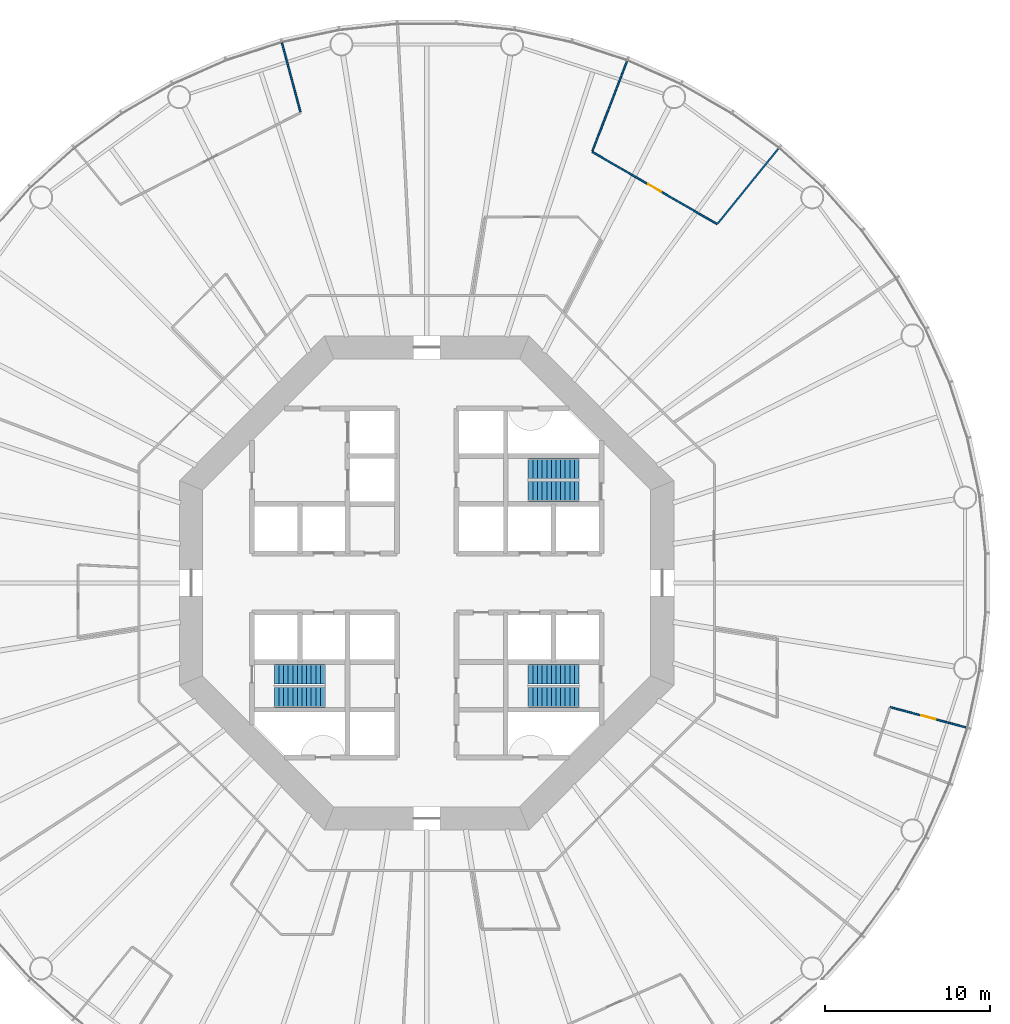
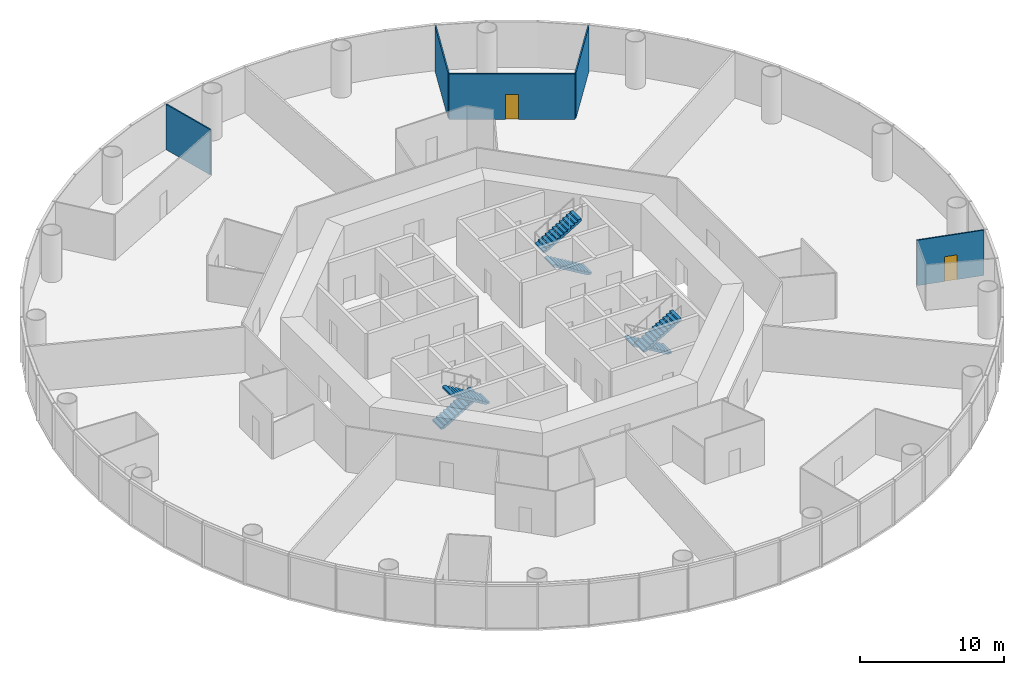
# One storey, part 6 of 13: 6 stair flights, 5 walls, 2 doors, 2 openings, 3 elements without a shape of their own.
"""IFC4 building model written with IfcOpenShell, lengths in metres."""

from ifc_helpers import new_model, si_unit, direction, frame, frame_2d, origin, place, context, subcontext, project, spatial, polyline, rectangle, outline, extrude, material, layer, layer_set, type_object, element, fill, aggregate, save


model = new_model("IFC4")

# Units and contexts
model_context = context("Model", 3, precision=1e-05, world=origin(), true_north=direction((0.0, 1.0)))
body_context = subcontext(model_context, "Body", "Model", "MODEL_VIEW")
ifc_project = project(units=[si_unit("LENGTHUNIT", "METRE"), si_unit("AREAUNIT", "SQUARE_METRE"), si_unit("VOLUMEUNIT", "CUBIC_METRE"), si_unit("PLANEANGLEUNIT", "RADIAN"), si_unit("MASSUNIT", "GRAM", prefix="KILO")], contexts=[model_context])

# Site, building, storey
site_placement = place(None, origin())
site = spatial("IfcSite", under=ifc_project, at=site_placement, CompositionType="ELEMENT")
building_placement = place(site_placement, origin())
building = spatial("IfcBuilding", under=site, at=building_placement, Name="Entoto Ring Tower", CompositionType="ELEMENT")
storey_placement = place(building_placement, frame((0.0, 0.0, 30.0)))
storey = spatial("IfcBuildingStorey", under=building, at=storey_placement, Name="L05", CompositionType="ELEMENT", Elevation=30.0)

# Wall, opening, door
ifc_material_1 = material(Name="Plasterboard on steel studs", Category="steel")
ifc_layer = layer(ifc_material_1, 0.10009765625)
ifc_layer_set = layer_set([ifc_layer], Name="Plasterboard on steel studs")
wall_type = type_object("IfcWallType", Name="Partition 100 mm plasterboard on steel studs", PredefinedType="PARTITIONING", material=ifc_layer_set)
wall_1_placement = place(storey_placement, frame((107.639892578125, 101.783447265625, 0.0), z_axis=(0.0, 0.0, 1.0), x_axis=(-0.86602796149, 0.499995569897, 0.0)))
wall_1 = element("IfcWall", 1, at=wall_1_placement, inside=storey, type_object=wall_type, Name="partition-L05-017", PredefinedType="PARTITIONING", context=body_context, shape_type="SweptSolid", body=[
    extrude(rectangle(XDim=8.76953125, YDim=0.10009765625, at=frame_2d((4.384765625, 0.0))), origin(), (0.0, 0.0, 1.0), 3.85009765625),
])
opening_1_placement = place(wall_1_placement, frame((3.934814453125, 0.0, 0.0)))
opening_1 = element("IfcOpeningElement", 2, at=opening_1_placement, cuts=wall_1, Name="Opening A03-D12", PredefinedType="OPENING", context=body_context, shape_type="SweptSolid", body=[
    extrude(rectangle(XDim=0.89990234375, YDim=2.10009765625, at=frame_2d((0.449951171875, 1.050048828125))), frame((0.0, 0.06005859375, 0.0), z_axis=(0.0, -1.0, 0.0), x_axis=(1.0, 0.0, 0.0)), (0.0, 0.0, 1.0), 0.1201171875),
])
ifc_material_2 = material(Name="Veneered timber door leaf in timber frame", Category="wood")
door_type = type_object("IfcDoorType", Name="Door 900 x 2100 single leaf timber veneer", OperationType="NOTDEFINED", PredefinedType="DOOR", material=ifc_material_2)
door_1_placement = place(opening_1_placement, frame((0.89990234375, 0.0, 0.0), z_axis=(0.0, 0.0, 1.0), x_axis=(-1.0, 0.0, 0.0)))
door_1 = element("IfcDoor", 3, at=door_1_placement, inside=storey, type_object=door_type, Name="Door A03-D12", OperationType="SINGLE_SWING_RIGHT", OverallHeight=2.10009765625, OverallWidth=0.89990234375, PredefinedType="DOOR", context=body_context, shape_type="SweptSolid", body=[
    extrude(rectangle(XDim=0.89990234375, YDim=2.10009765625, at=frame_2d((0.449951171875, 1.050048828125))), frame((0.0, 0.02490234375, 0.0), z_axis=(0.0, -1.0, 0.0), x_axis=(1.0, 0.0, 0.0)), (0.0, 0.0, 1.0), 0.050048828125),
])
fill(opening_1, door_1)

# Walls
wall_2_placement = place(storey_placement, frame((100.062744140625, 106.21435546875, 0.0), z_axis=(0.0, 0.0, 1.0), x_axis=(0.358376050057, 0.933577316962, 0.0)))
element("IfcWall", 4, at=wall_2_placement, inside=storey, type_object=wall_type, Name="partition-L05-018", PredefinedType="PARTITIONING", context=body_context, shape_type="SweptSolid", body=[
    extrude(rectangle(XDim=5.86083984375, YDim=0.10009765625, at=frame_2d((2.930419921875, 0.0))), origin(), (0.0, 0.0, 1.0), 3.85009765625),
])
wall_3_placement = place(storey_placement, frame((107.6708984375, 101.82177734375, 0.0), z_axis=(0.0, 0.0, 1.0), x_axis=(0.629332439012, 0.777136205055, 0.0)))
element("IfcWall", 5, at=wall_3_placement, inside=storey, type_object=wall_type, Name="partition-L05-019", PredefinedType="PARTITIONING", context=body_context, shape_type="SweptSolid", body=[
    extrude(rectangle(XDim=5.860595703125, YDim=0.10009765625, at=frame_2d((2.93017578125, 0.0))), origin(), (0.0, 0.0, 1.0), 3.85009765625),
])

# Wall, opening, door
wall_4_placement = place(storey_placement, frame((122.783447265625, 71.2158203125, 0.0), z_axis=(0.0, 0.0, 1.0), x_axis=(-0.965935843283, 0.258781658277, 0.0)))
wall_4 = element("IfcWall", 6, at=wall_4_placement, inside=storey, type_object=wall_type, Name="partition-L05-026", PredefinedType="PARTITIONING", context=body_context, shape_type="SweptSolid", body=[
    extrude(rectangle(XDim=4.820068359375, YDim=0.10009765625, at=frame_2d((2.41015625, 0.0))), origin(), (0.0, 0.0, 1.0), 3.85009765625),
])
opening_2_placement = place(wall_4_placement, frame((1.9599609375, 0.0, 0.0)))
opening_2 = element("IfcOpeningElement", 7, at=opening_2_placement, cuts=wall_4, Name="Opening A03-D09", PredefinedType="OPENING", context=body_context, shape_type="SweptSolid", body=[
    extrude(rectangle(XDim=0.89990234375, YDim=2.10009765625, at=frame_2d((0.449951171875, 1.050048828125))), frame((0.0, 0.06005859375, 0.0), z_axis=(0.0, -1.0, 0.0), x_axis=(1.0, 0.0, 0.0)), (0.0, 0.0, 1.0), 0.1201171875),
])
door_2_placement = place(opening_2_placement, origin())
door_2 = element("IfcDoor", 8, at=door_2_placement, inside=storey, type_object=door_type, Name="Door A03-D09", OperationType="SINGLE_SWING_LEFT", OverallHeight=2.10009765625, OverallWidth=0.89990234375, PredefinedType="DOOR", context=body_context, shape_type="SweptSolid", body=[
    extrude(rectangle(XDim=0.89990234375, YDim=2.10009765625, at=frame_2d((0.449951171875, 1.050048828125))), frame((0.0, 0.02490234375, 0.0), z_axis=(0.0, -1.0, 0.0), x_axis=(1.0, 0.0, 0.0)), (0.0, 0.0, 1.0), 0.050048828125),
])
fill(opening_2, door_2)

# Wall
wall_5_placement = place(storey_placement, frame((82.336669921875, 108.599853515625, 0.0), z_axis=(0.0, 0.0, 1.0), x_axis=(-0.258788679969, 0.96593396209, 0.0)))
element("IfcWall", 9, at=wall_5_placement, inside=storey, type_object=wall_type, Name="partition-L05-037", PredefinedType="PARTITIONING", context=body_context, shape_type="SweptSolid", body=[
    extrude(rectangle(XDim=4.3310546875, YDim=0.10009765625, at=frame_2d((2.16552734375, 0.0))), origin(), (0.0, 0.0, 1.0), 3.85009765625),
])

# Stair, stair flights
ifc_material_3 = material(Name="Concrete C40/50", Category="concrete")
stair_type = type_object("IfcStairType", Name="Exit stair 1200 mm dog-leg reinforced concrete", PredefinedType="HALF_TURN_STAIR", material=ifc_material_3)
stair_1_placement = place(storey_placement, origin())
stair_1 = element("IfcStair", 10, at=stair_1_placement, inside=storey, type_object=stair_type, Name="Exit stair 1", PredefinedType="HALF_TURN_STAIR")
ifc_material_4 = material(Name="Concrete C40/50", Category="concrete")
stair_flight_type = type_object("IfcStairFlightType", Name="Stair flight 1200 mm reinforced concrete", PredefinedType="STRAIGHT", material=ifc_material_4)
stair_flight_1_placement = place(storey_placement, frame((99.25, 85.550048828125, 0.0), z_axis=(0.0, 0.0, 1.0), x_axis=(-1.0, 0.0, 0.0)))
stair_flight_1 = element("IfcStairFlight", 11, at=stair_flight_1_placement, type_object=stair_flight_type, Name="ST1 flight 1", NumberOfRisers=12, NumberOfTreads=11, PredefinedType="STRAIGHT", RiserHeight=0.166666667, TreadLength=0.28, context=body_context, shape_type="SweptSolid", body=[
    extrude(outline(polyline([(0.0, 0.0), (0.0, 0.166748046875), (0.280029296875, 0.166748046875), (0.280029296875, 0.333251953125), (0.56005859375, 0.333251953125), (0.56005859375, 0.5), (0.840087890625, 0.5), (0.840087890625, 0.666748046875), (1.1201171875, 0.666748046875), (1.1201171875, 0.833251953125), (1.39990234375, 0.833251953125), (1.39990234375, 1.0), (1.679931640625, 1.0), (1.679931640625, 1.166748046875), (1.9599609375, 1.166748046875), (1.9599609375, 1.333251953125), (2.239990234375, 1.333251953125), (2.239990234375, 1.5), (2.52001953125, 1.5), (2.52001953125, 1.666748046875), (2.800048828125, 1.666748046875), (2.800048828125, 1.833251953125), (3.080078125, 1.833251953125), (3.080078125, 2.0), (3.080078125, 1.658935546875), (0.29296875, 0.0), (0.0, 0.0)])), frame((0.0, 0.60009765625, 0.0), z_axis=(0.0, -1.0, 0.0), x_axis=(1.0, 0.0, 0.0)), (0.0, 0.0, 1.0), 1.199951171875),
])
stair_flight_2_placement = place(storey_placement, frame((96.169921875, 86.949951171875, 2.0), z_axis=(0.0, 0.0, 1.0), x_axis=(1.0, 0.0, 0.0)))
stair_flight_2 = element("IfcStairFlight", 12, at=stair_flight_2_placement, type_object=stair_flight_type, Name="ST1 flight 2", NumberOfRisers=12, NumberOfTreads=11, PredefinedType="STRAIGHT", RiserHeight=0.166666667, TreadLength=0.28, context=body_context, shape_type="SweptSolid", body=[
    extrude(outline(polyline([(0.0, 0.0), (0.0, 0.166748046875), (0.280029296875, 0.166748046875), (0.280029296875, 0.333251953125), (0.56005859375, 0.333251953125), (0.56005859375, 0.5), (0.840087890625, 0.5), (0.840087890625, 0.666748046875), (1.1201171875, 0.666748046875), (1.1201171875, 0.833251953125), (1.39990234375, 0.833251953125), (1.39990234375, 1.0), (1.679931640625, 1.0), (1.679931640625, 1.166748046875), (1.9599609375, 1.166748046875), (1.9599609375, 1.333251953125), (2.239990234375, 1.333251953125), (2.239990234375, 1.5), (2.52001953125, 1.5), (2.52001953125, 1.666748046875), (2.800048828125, 1.666748046875), (2.800048828125, 1.833251953125), (3.080078125, 1.833251953125), (3.080078125, 2.0), (3.080078125, 1.658935546875), (0.29296875, 0.0), (0.0, 0.0)])), frame((0.0, 0.60009765625, 0.0), z_axis=(0.0, -1.0, 0.0), x_axis=(1.0, 0.0, 0.0)), (0.0, 0.0, 1.0), 1.199951171875),
])
aggregate(stair_1, [stair_flight_1, stair_flight_2])

stair_2_placement = place(storey_placement, origin())
stair_2 = element("IfcStair", 13, at=stair_2_placement, inside=storey, type_object=stair_type, Name="Exit stair 2", PredefinedType="HALF_TURN_STAIR")
stair_flight_3_placement = place(storey_placement, frame((80.75, 74.449951171875, 0.0), z_axis=(0.0, 0.0, 1.0), x_axis=(1.0, 0.0, 0.0)))
stair_flight_3 = element("IfcStairFlight", 14, at=stair_flight_3_placement, type_object=stair_flight_type, Name="ST2 flight 1", NumberOfRisers=12, NumberOfTreads=11, PredefinedType="STRAIGHT", RiserHeight=0.166666667, TreadLength=0.28, context=body_context, shape_type="SweptSolid", body=[
    extrude(outline(polyline([(0.0, 0.0), (0.0, 0.166748046875), (0.280029296875, 0.166748046875), (0.280029296875, 0.333251953125), (0.56005859375, 0.333251953125), (0.56005859375, 0.5), (0.840087890625, 0.5), (0.840087890625, 0.666748046875), (1.1201171875, 0.666748046875), (1.1201171875, 0.833251953125), (1.39990234375, 0.833251953125), (1.39990234375, 1.0), (1.679931640625, 1.0), (1.679931640625, 1.166748046875), (1.9599609375, 1.166748046875), (1.9599609375, 1.333251953125), (2.239990234375, 1.333251953125), (2.239990234375, 1.5), (2.52001953125, 1.5), (2.52001953125, 1.666748046875), (2.800048828125, 1.666748046875), (2.800048828125, 1.833251953125), (3.080078125, 1.833251953125), (3.080078125, 2.0), (3.080078125, 1.658935546875), (0.29296875, 0.0), (0.0, 0.0)])), frame((0.0, 0.60009765625, 0.0), z_axis=(0.0, -1.0, 0.0), x_axis=(1.0, 0.0, 0.0)), (0.0, 0.0, 1.0), 1.199951171875),
])
stair_flight_4_placement = place(storey_placement, frame((83.830078125, 73.050048828125, 2.0), z_axis=(0.0, 0.0, 1.0), x_axis=(-1.0, 0.0, 0.0)))
stair_flight_4 = element("IfcStairFlight", 15, at=stair_flight_4_placement, type_object=stair_flight_type, Name="ST2 flight 2", NumberOfRisers=12, NumberOfTreads=11, PredefinedType="STRAIGHT", RiserHeight=0.166666667, TreadLength=0.28, context=body_context, shape_type="SweptSolid", body=[
    extrude(outline(polyline([(0.0, 0.0), (0.0, 0.166748046875), (0.280029296875, 0.166748046875), (0.280029296875, 0.333251953125), (0.56005859375, 0.333251953125), (0.56005859375, 0.5), (0.840087890625, 0.5), (0.840087890625, 0.666748046875), (1.1201171875, 0.666748046875), (1.1201171875, 0.833251953125), (1.39990234375, 0.833251953125), (1.39990234375, 1.0), (1.679931640625, 1.0), (1.679931640625, 1.166748046875), (1.9599609375, 1.166748046875), (1.9599609375, 1.333251953125), (2.239990234375, 1.333251953125), (2.239990234375, 1.5), (2.52001953125, 1.5), (2.52001953125, 1.666748046875), (2.800048828125, 1.666748046875), (2.800048828125, 1.833251953125), (3.080078125, 1.833251953125), (3.080078125, 2.0), (3.080078125, 1.658935546875), (0.29296875, 0.0), (0.0, 0.0)])), frame((0.0, 0.60009765625, 0.0), z_axis=(0.0, -1.0, 0.0), x_axis=(1.0, 0.0, 0.0)), (0.0, 0.0, 1.0), 1.199951171875),
])
aggregate(stair_2, [stair_flight_3, stair_flight_4])

stair_3_placement = place(storey_placement, origin())
stair_3 = element("IfcStair", 16, at=stair_3_placement, inside=storey, type_object=stair_type, Name="Exit stair 3", PredefinedType="HALF_TURN_STAIR")
stair_flight_5_placement = place(storey_placement, frame((99.25, 74.449951171875, 0.0), z_axis=(0.0, 0.0, 1.0), x_axis=(-1.0, 0.0, 0.0)))
stair_flight_5 = element("IfcStairFlight", 17, at=stair_flight_5_placement, type_object=stair_flight_type, Name="ST3 flight 1", NumberOfRisers=12, NumberOfTreads=11, PredefinedType="STRAIGHT", RiserHeight=0.166666667, TreadLength=0.28, context=body_context, shape_type="SweptSolid", body=[
    extrude(outline(polyline([(0.0, 0.0), (0.0, 0.166748046875), (0.280029296875, 0.166748046875), (0.280029296875, 0.333251953125), (0.56005859375, 0.333251953125), (0.56005859375, 0.5), (0.840087890625, 0.5), (0.840087890625, 0.666748046875), (1.1201171875, 0.666748046875), (1.1201171875, 0.833251953125), (1.39990234375, 0.833251953125), (1.39990234375, 1.0), (1.679931640625, 1.0), (1.679931640625, 1.166748046875), (1.9599609375, 1.166748046875), (1.9599609375, 1.333251953125), (2.239990234375, 1.333251953125), (2.239990234375, 1.5), (2.52001953125, 1.5), (2.52001953125, 1.666748046875), (2.800048828125, 1.666748046875), (2.800048828125, 1.833251953125), (3.080078125, 1.833251953125), (3.080078125, 2.0), (3.080078125, 1.658935546875), (0.29296875, 0.0), (0.0, 0.0)])), frame((0.0, 0.60009765625, 0.0), z_axis=(0.0, -1.0, 0.0), x_axis=(1.0, 0.0, 0.0)), (0.0, 0.0, 1.0), 1.199951171875),
])
stair_flight_6_placement = place(storey_placement, frame((96.169921875, 73.050048828125, 2.0), z_axis=(0.0, 0.0, 1.0), x_axis=(1.0, 0.0, 0.0)))
stair_flight_6 = element("IfcStairFlight", 18, at=stair_flight_6_placement, type_object=stair_flight_type, Name="ST3 flight 2", NumberOfRisers=12, NumberOfTreads=11, PredefinedType="STRAIGHT", RiserHeight=0.166666667, TreadLength=0.28, context=body_context, shape_type="SweptSolid", body=[
    extrude(outline(polyline([(0.0, 0.0), (0.0, 0.166748046875), (0.280029296875, 0.166748046875), (0.280029296875, 0.333251953125), (0.56005859375, 0.333251953125), (0.56005859375, 0.5), (0.840087890625, 0.5), (0.840087890625, 0.666748046875), (1.1201171875, 0.666748046875), (1.1201171875, 0.833251953125), (1.39990234375, 0.833251953125), (1.39990234375, 1.0), (1.679931640625, 1.0), (1.679931640625, 1.166748046875), (1.9599609375, 1.166748046875), (1.9599609375, 1.333251953125), (2.239990234375, 1.333251953125), (2.239990234375, 1.5), (2.52001953125, 1.5), (2.52001953125, 1.666748046875), (2.800048828125, 1.666748046875), (2.800048828125, 1.833251953125), (3.080078125, 1.833251953125), (3.080078125, 2.0), (3.080078125, 1.658935546875), (0.29296875, 0.0), (0.0, 0.0)])), frame((0.0, 0.60009765625, 0.0), z_axis=(0.0, -1.0, 0.0), x_axis=(1.0, 0.0, 0.0)), (0.0, 0.0, 1.0), 1.199951171875),
])
aggregate(stair_3, [stair_flight_5, stair_flight_6])

save(model, "model.ifc")
